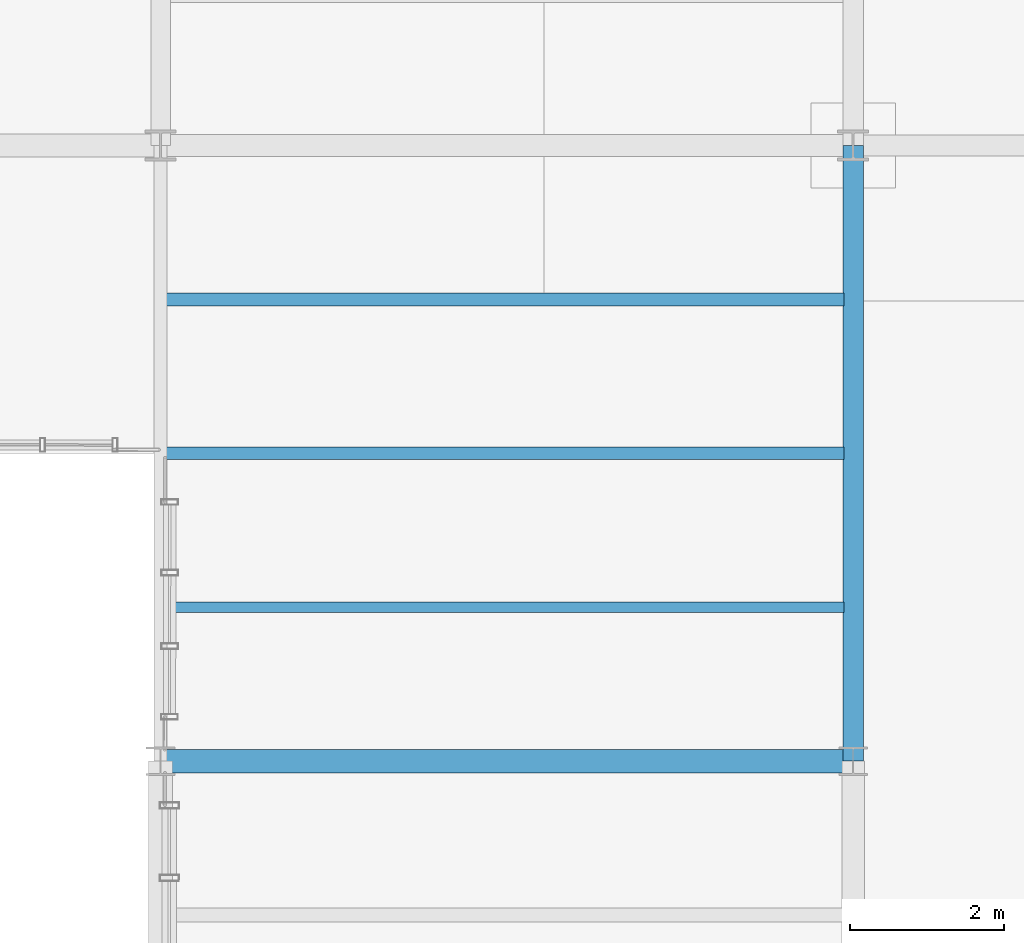
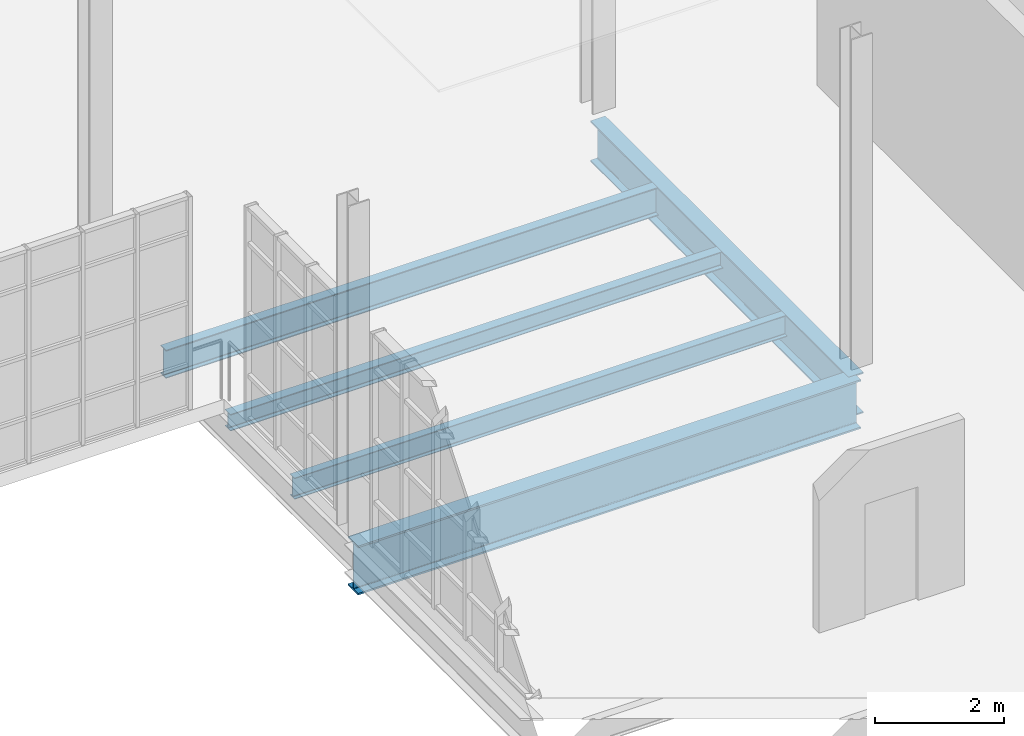
# One storey, part 53 of 118: 5 beams.
"""IFC4 building model written with IfcOpenShell, lengths in metres."""

import ifcopenshell
import ifcopenshell.guid

model = None  # the IFC model being written
_history = None  # IfcOwnerHistory: only IFC2X3 demands one
_inside = {}  # id of a spatial element -> (the spatial element, [elements in it])
_under = {}  # id of a project, library or spatial element -> (it, [spatial elements below it])
_declared = {}  # id of a project -> (the project, [libraries it declares])
_typed = {}  # id of a type object -> (the type object, [elements of that type])
_made_of = {}  # id of a material, layer set ... -> (it, [elements and type objects made of it])


def new_model(schema):
    """Start an empty IFC model of exactly this schema.

    Asked for "IFC4X3", IfcOpenShell would pick the latest addendum, in which some entities
    have other attributes; the version numbers below select the first issue.
    IFC2X3 requires an IfcOwnerHistory on every rooted entity: one is made here for all.
    """
    global model, _history
    if schema == "IFC4X3":
        model = ifcopenshell.file(schema_version=(4, 3, 0, 0))
    else:
        model = ifcopenshell.file(schema=schema)
    _inside.clear()
    _under.clear()
    _declared.clear()
    _typed.clear()
    _made_of.clear()
    _history = None
    if model.schema == "IFC2X3":
        org = make("IfcOrganization", Name="unknown")
        user = make(
            "IfcPersonAndOrganization",
            ThePerson=make("IfcPerson", FamilyName="unknown"),
            TheOrganization=org,
        )
        app = make(
            "IfcApplication",
            ApplicationDeveloper=org,
            Version="unknown",
            ApplicationFullName="unknown",
            ApplicationIdentifier="unknown",
        )
        _history = make(
            "IfcOwnerHistory",
            OwningUser=user,
            OwningApplication=app,
            ChangeAction="ADDED",
            CreationDate=0,
        )
    return model


def make(cls, **values):
    """One entity of the class cls with the attributes given. An attribute that is None is left unset."""
    return model.create_entity(
        cls, **{name: value for name, value in values.items() if value is not None}
    )


def rooted(cls, **values):
    """An entity with a GlobalId (a new one), such as an element, a storey or a relation."""
    return make(cls, GlobalId=ifcopenshell.guid.new(), OwnerHistory=_history, **values)


def si_unit(unit_type, name, prefix=None):
    """IfcSIUnit, for example si_unit("LENGTHUNIT", "METRE", prefix="MILLI")."""
    return make("IfcSIUnit", UnitType=unit_type, Prefix=prefix, Name=name)


def assignment(units):
    """IfcUnitAssignment: the units of a project."""
    return None if units is None else make("IfcUnitAssignment", Units=units)


def point(xyz):
    """IfcCartesianPoint."""
    return None if xyz is None else make("IfcCartesianPoint", Coordinates=xyz)


def direction(xyz):
    """IfcDirection."""
    return None if xyz is None else make("IfcDirection", DirectionRatios=xyz)


def frame(location, z_axis=None, x_axis=None):
    """IfcAxis2Placement3D, a coordinate frame: its origin and axes. An axis left out is left unset."""
    return make(
        "IfcAxis2Placement3D",
        Location=point(location),
        Axis=direction(z_axis),
        RefDirection=direction(x_axis),
    )


def frame_2d(location, x_axis=None):
    """IfcAxis2Placement2D, a coordinate frame in the plane: its origin and x axis."""
    return make(
        "IfcAxis2Placement2D", Location=point(location), RefDirection=direction(x_axis)
    )


def origin():
    """The frame at (0, 0, 0) with its axes left unset."""
    return frame((0.0, 0.0, 0.0))


def origin_2d():
    """The frame at (0, 0) in the plane with its x axis left unset."""
    return frame_2d((0.0, 0.0))


def place(relative_to, where):
    """IfcLocalPlacement: puts the frame where relative to a parent placement (None: the world)."""
    return make(
        "IfcLocalPlacement", PlacementRelTo=relative_to, RelativePlacement=where
    )


def context(
    kind, dimensions, precision=None, world=None, true_north=None, identifier=None
):
    """IfcGeometricRepresentationContext, for example the 3D "Model" context."""
    return make(
        "IfcGeometricRepresentationContext",
        ContextIdentifier=identifier,
        ContextType=kind,
        CoordinateSpaceDimension=dimensions,
        Precision=precision,
        WorldCoordinateSystem=world,
        TrueNorth=true_north,
    )


def subcontext(parent, identifier, kind, view, scale=None):
    """IfcGeometricRepresentationSubContext, for example "Body" below "Model"."""
    return make(
        "IfcGeometricRepresentationSubContext",
        ContextIdentifier=identifier,
        ContextType=kind,
        ParentContext=parent,
        TargetScale=scale,
        TargetView=view,
    )


def project(units=None, contexts=None):
    """IfcProject with its units and contexts."""
    return rooted(
        "IfcProject",
        Name="project",
        RepresentationContexts=contexts,
        UnitsInContext=assignment(units),
    )


def spatial(cls, under=None, at=None, **own):
    """A site, building, storey or space (cls), placed at a placement, below another one or the project."""
    s = rooted(cls, ObjectPlacement=at, **own)
    if under is not None:
        _under.setdefault(under.id(), (under, []))[1].append(s)
    return s


def profile(cls, at=None, kind="AREA", **sizes):
    """A parametric profile (cls). Its sizes go by their IFC names, for example OverallWidth=200.0."""
    return make(cls, ProfileType=kind, Position=at, **sizes)


def i_section(**sizes):
    """IfcIShapeProfileDef."""
    return profile("IfcIShapeProfileDef", **sizes)


def extrude(swept, where, along, depth):
    """IfcExtrudedAreaSolid: the profile swept, set in the frame where, extruded along a direction by depth."""
    return make(
        "IfcExtrudedAreaSolid",
        SweptArea=swept,
        Position=where,
        ExtrudedDirection=direction(along),
        Depth=depth,
    )


def shape(context_of_items, identifier, shape_type, items):
    """IfcShapeRepresentation: the items that make up one representation, for example the "Body"."""
    return make(
        "IfcShapeRepresentation",
        ContextOfItems=context_of_items,
        RepresentationIdentifier=identifier,
        RepresentationType=shape_type,
        Items=items,
    )


def material(Name=None, Category=None):
    """IfcMaterial."""
    return make("IfcMaterial", Name=Name, Category=Category)


def material_profile(
    of_material, cross_section, Name=None, Category=None, Priority=None
):
    """IfcMaterialProfile: a cross section and its material."""
    return make(
        "IfcMaterialProfile",
        Name=Name,
        Material=of_material,
        Profile=cross_section,
        Priority=Priority,
        Category=Category,
    )


def profile_set(profiles, Name=None, composite=None):
    """IfcMaterialProfileSet."""
    return make(
        "IfcMaterialProfileSet",
        Name=Name,
        MaterialProfiles=profiles,
        CompositeProfile=composite,
    )


def made_of(thing, what):
    """Note that an element or type object is made of a material, layer set ...; save() writes the relation."""
    if what is not None:
        _made_of.setdefault(what.id(), (what, []))[1].append(thing)
    return thing


def type_object(cls, material=None, **own):
    """A type object (cls), such as IfcWallType, which elements share."""
    return made_of(rooted(cls, **own), material)


def element(
    cls,
    number,
    at=None,
    inside=None,
    cuts=None,
    type_object=None,
    material=None,
    context=None,
    identifier="Body",
    shape_type=None,
    held_by="IfcProductDefinitionShape",
    body=None,
    shapes=None,
    **own,
):
    """One element of the class cls, such as IfcWall. Its Tag is "e" and its number.

    at: its placement. inside: the storey or other place that contains it. cuts: it is an
    opening in that element (IfcRelVoidsElement). A single representation is given by context,
    identifier, shape_type and body (its items); several are given by shapes. held_by: the class
    of the entity that holds the representations. save() writes the other relations.
    """
    e = rooted(cls, Tag="e%d" % number, ObjectPlacement=at, **own)
    if body is not None:
        shapes = [shape(context, identifier, shape_type, body)]
    if shapes is not None:
        e.Representation = make(held_by, Representations=shapes)
    if inside is not None:
        _inside.setdefault(inside.id(), (inside, []))[1].append(e)
    if cuts is not None:
        rooted(
            "IfcRelVoidsElement", RelatingBuildingElement=cuts, RelatedOpeningElement=e
        )
    if type_object is not None:
        _typed.setdefault(type_object.id(), (type_object, []))[1].append(e)
    return made_of(e, material)


def aggregate(whole, parts):
    """IfcRelAggregates: a whole, such as a stair, and the parts it consists of."""
    return rooted("IfcRelAggregates", RelatingObject=whole, RelatedObjects=parts)


def save(model, path):
    """Write the relations noted so far, then the file.

    IfcRelAggregates (storeys below a building ...), IfcRelContainedInSpatialStructure (elements
    in a storey), IfcRelDefinesByType, IfcRelAssociatesMaterial and IfcRelDeclares: one each for
    every whole, place, type object, material and project.
    """
    for whole, parts in _under.values():
        aggregate(whole, parts)
    for where, things in _inside.values():
        rooted(
            "IfcRelContainedInSpatialStructure",
            RelatedElements=things,
            RelatingStructure=where,
        )
    for kind, things in _typed.values():
        rooted("IfcRelDefinesByType", RelatedObjects=things, RelatingType=kind)
    for what, things in _made_of.values():
        rooted("IfcRelAssociatesMaterial", RelatedObjects=things, RelatingMaterial=what)
    for by, libraries in _declared.values():
        rooted("IfcRelDeclares", RelatingContext=by, RelatedDefinitions=libraries)
    model.write(path)


model = new_model("IFC4")

# Units and contexts
model_context = context("Model", 3, precision=1e-05, world=origin(), true_north=direction((0.0, 1.0)))
body_context = subcontext(model_context, "Body", "Model", "MODEL_VIEW")
ifc_project = project(units=[si_unit("LENGTHUNIT", "METRE"), si_unit("AREAUNIT", "SQUARE_METRE"), si_unit("VOLUMEUNIT", "CUBIC_METRE"), si_unit("PLANEANGLEUNIT", "RADIAN"), si_unit("MASSUNIT", "GRAM", prefix="KILO"), si_unit("THERMODYNAMICTEMPERATUREUNIT", "KELVIN"), si_unit("POWERUNIT", "WATT")], contexts=[model_context])

# Site, building, storey
site_placement = place(None, origin())
site = spatial("IfcSite", under=ifc_project, at=site_placement, CompositionType="ELEMENT")
building_placement = place(site_placement, origin())
building = spatial("IfcBuilding", under=site, at=building_placement, Name="Zelmaris Science Centre", CompositionType="ELEMENT")
storey_placement = place(building_placement, frame((0.0, 0.0, 15.60009765625)))
storey = spatial("IfcBuildingStorey", under=building, at=storey_placement, Name="L03", CompositionType="ELEMENT", Elevation=15.60009765625)

# Beams
ifc_material = material(Name="Steel ASTM A992 Grade 50", Category="steel")
ifc_material_profile_1 = material_profile(ifc_material, i_section(OverallWidth=0.306884765625, OverallDepth=0.927001953125, WebThickness=0.019287109375, FlangeThickness=0.031982421875, FilletRadius=0.02392578125, at=origin_2d()), Name="W36X194")
ifc_profile_set_1 = profile_set([ifc_material_profile_1], Name="Steel ASTM A992 Grade 50")
beam_type_1 = type_object("IfcBeamType", Name="Beam G-03 W36X194", PredefinedType="BEAM", material=ifc_profile_set_1)
beam_1_placement = place(storey_placement, frame((117.0, 40.0, -0.7236328125), z_axis=(1.0, 0.0, 0.0), x_axis=(0.0, 1.0, 0.0)))
element("IfcBeam", 1, at=beam_1_placement, inside=storey, type_object=beam_type_1, Name="L03 East-west girder 744", PredefinedType="BEAM", context=body_context, shape_type="SweptSolid", body=[
    extrude(i_section(OverallWidth=0.306884765625, OverallDepth=0.927001953125, WebThickness=0.019287109375, FlangeThickness=0.031982421875, FilletRadius=0.02392578125, at=origin_2d()), origin(), (0.0, 0.0, 1.0), 9.0),
])
ifc_material_profile_2 = material_profile(ifc_material, i_section(OverallWidth=0.26708984375, OverallDepth=0.77001953125, WebThickness=0.015625, FlangeThickness=0.025390625, FilletRadius=0.01904296875, at=origin_2d()), Name="W30X132")
ifc_profile_set_2 = profile_set([ifc_material_profile_2], Name="Steel ASTM A992 Grade 50")
beam_type_2 = type_object("IfcBeamType", Name="Beam G-09 W30X132", PredefinedType="BEAM", material=ifc_profile_set_2)
beam_2_placement = place(storey_placement, frame((126.0, 40.0, -0.64501953125), z_axis=(0.0, 1.0, 0.0), x_axis=(-1.0, 0.0, 0.0)))
element("IfcBeam", 2, at=beam_2_placement, inside=storey, type_object=beam_type_2, Name="L03 North-south girder 717", PredefinedType="BEAM", context=body_context, shape_type="SweptSolid", body=[
    extrude(i_section(OverallWidth=0.26708984375, OverallDepth=0.77001953125, WebThickness=0.015625, FlangeThickness=0.025390625, FilletRadius=0.01904296875, at=origin_2d()), origin(), (0.0, 0.0, 1.0), 8.0),
])
ifc_material_profile_3 = material_profile(ifc_material, i_section(OverallWidth=0.16796875, OverallDepth=0.532958984375, WebThickness=0.01025390625, FlangeThickness=0.0166015625, FilletRadius=0.013916015625, at=origin_2d()), Name="W21X57")
ifc_profile_set_3 = profile_set([ifc_material_profile_3], Name="Steel ASTM A992 Grade 50")
beam_type_3 = type_object("IfcBeamType", Name="Beam J-01 W21X57", PredefinedType="JOIST", material=ifc_profile_set_3)
beam_3_placement = place(storey_placement, frame((117.0673828125, 46.0, -0.526611328125), z_axis=(1.0, 0.0, 0.0), x_axis=(0.0, 1.0, 0.0)))
element("IfcBeam", 3, at=beam_3_placement, inside=storey, type_object=beam_type_3, Name="L03 Composite floor joist 360", PredefinedType="JOIST", context=body_context, shape_type="SweptSolid", body=[
    extrude(i_section(OverallWidth=0.16796875, OverallDepth=0.532958984375, WebThickness=0.01025390625, FlangeThickness=0.0166015625, FilletRadius=0.013916015625, at=origin_2d()), origin(), (0.0, 0.0, 1.0), 8.814208984375),
])
ifc_material_profile_4 = material_profile(ifc_material, i_section(OverallWidth=0.139892578125, OverallDepth=0.404052734375, WebThickness=0.007080078125, FlangeThickness=0.01123046875, FilletRadius=0.011962890625, at=origin_2d()), Name="W16X31")
ifc_profile_set_4 = profile_set([ifc_material_profile_4], Name="Steel ASTM A992 Grade 50")
beam_type_4 = type_object("IfcBeamType", Name="Beam J-08 W16X31", PredefinedType="JOIST", material=ifc_profile_set_4)
beam_4_placement = place(storey_placement, frame((117.0673828125, 42.0, -0.462158203125), z_axis=(1.0, 0.0, 0.0), x_axis=(0.0, 1.0, 0.0)))
element("IfcBeam", 4, at=beam_4_placement, inside=storey, type_object=beam_type_4, Name="L03 Composite floor joist 358", PredefinedType="JOIST", context=body_context, shape_type="SweptSolid", body=[
    extrude(i_section(OverallWidth=0.139892578125, OverallDepth=0.404052734375, WebThickness=0.007080078125, FlangeThickness=0.01123046875, FilletRadius=0.011962890625, at=origin_2d()), origin(), (0.0, 0.0, 1.0), 8.814208984375),
])
ifc_material_profile_5 = material_profile(ifc_material, i_section(OverallWidth=0.1669921875, OverallDepth=0.318115234375, WebThickness=0.007568359375, FlangeThickness=0.01318359375, FilletRadius=0.011962890625, at=origin_2d()), Name="W12X35")
ifc_profile_set_5 = profile_set([ifc_material_profile_5], Name="Steel ASTM A992 Grade 50")
beam_type_5 = type_object("IfcBeamType", Name="Beam J-09 W12X35", PredefinedType="JOIST", material=ifc_profile_set_5)
beam_5_placement = place(storey_placement, frame((117.0673828125, 44.0, -0.419189453125), z_axis=(1.0, 0.0, 0.0), x_axis=(0.0, 1.0, 0.0)))
element("IfcBeam", 5, at=beam_5_placement, inside=storey, type_object=beam_type_5, Name="L03 Composite floor joist 359", PredefinedType="JOIST", context=body_context, shape_type="SweptSolid", body=[
    extrude(i_section(OverallWidth=0.1669921875, OverallDepth=0.318115234375, WebThickness=0.007568359375, FlangeThickness=0.01318359375, FilletRadius=0.011962890625, at=origin_2d()), origin(), (0.0, 0.0, 1.0), 8.814208984375),
])

save(model, "model.ifc")
